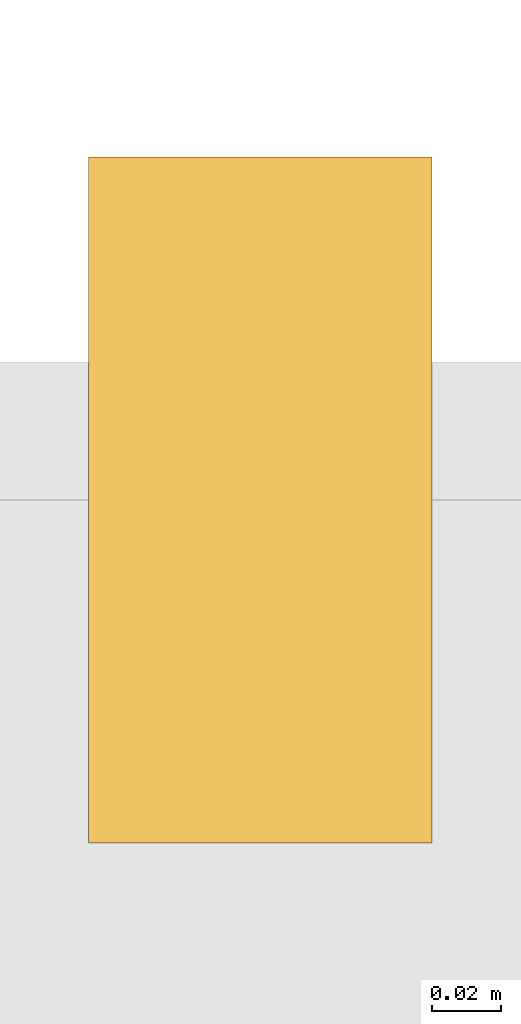
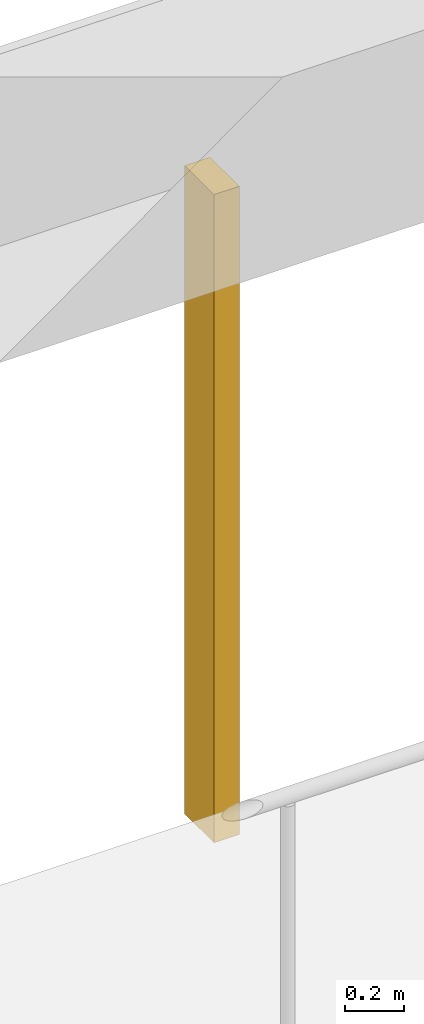
# One storey, part 13 of 19: 1 shading device.
"""IFC4 building model written with IfcOpenShell, lengths in metres."""

from ifc_helpers import new_model, si_unit, direction, frame, origin, origin_2d, place, context, subcontext, project, spatial, rectangle, extrude, material, material_profile, profile_set, type_object, element, save


model = new_model("IFC4")

# Units and contexts
model_context = context("Model", 3, precision=1e-05, world=origin(), true_north=direction((0.0, 1.0)))
body_context = subcontext(model_context, "Body", "Model", "MODEL_VIEW")
ifc_project = project(units=[si_unit("LENGTHUNIT", "METRE"), si_unit("AREAUNIT", "SQUARE_METRE"), si_unit("VOLUMEUNIT", "CUBIC_METRE"), si_unit("PLANEANGLEUNIT", "RADIAN"), si_unit("MASSUNIT", "GRAM", prefix="KILO")], contexts=[model_context])

# Site, building, storey
site_placement = place(None, origin())
site = spatial("IfcSite", under=ifc_project, at=site_placement, CompositionType="ELEMENT")
building_placement = place(site_placement, origin())
building = spatial("IfcBuilding", under=site, at=building_placement, Name="Vermilion Gate Residences", CompositionType="ELEMENT")
storey_placement = place(building_placement, frame((0.0, 0.0, 32.199951171875)))
storey = spatial("IfcBuildingStorey", under=building, at=storey_placement, Name="L06", CompositionType="ELEMENT", Elevation=32.199951171875)

# Shading device
ifc_material = material(Name="Extruded terracotta", Category="masonry")
ifc_material_profile = material_profile(ifc_material, rectangle(XDim=0.199951171875, YDim=0.10009765625, at=origin_2d()), Name="BAGUETTE 100 X 200")
ifc_profile_set = profile_set([ifc_material_profile], Name="Extruded terracotta")
shading_device_type = type_object("IfcShadingDeviceType", Name="TERRACOTTA BAGUETTE 100 X 200", PredefinedType="JALOUSIE", material=ifc_profile_set)
shading_device_placement = place(storey_placement, frame((63.0, 25.5, -0.280029296875), z_axis=(0.0, 0.0, 1.0), x_axis=(0.0, -1.0, 0.0)))
element("IfcShadingDevice", 1, at=shading_device_placement, inside=storey, type_object=shading_device_type, Name="BAGUETTE", PredefinedType="JALOUSIE", context=body_context, shape_type="SweptSolid", body=[
    extrude(rectangle(XDim=0.199951171875, YDim=0.10009765625, at=origin_2d()), origin(), (0.0, 0.0, 1.0), 2.7001953125),
])

save(model, "model.ifc")
